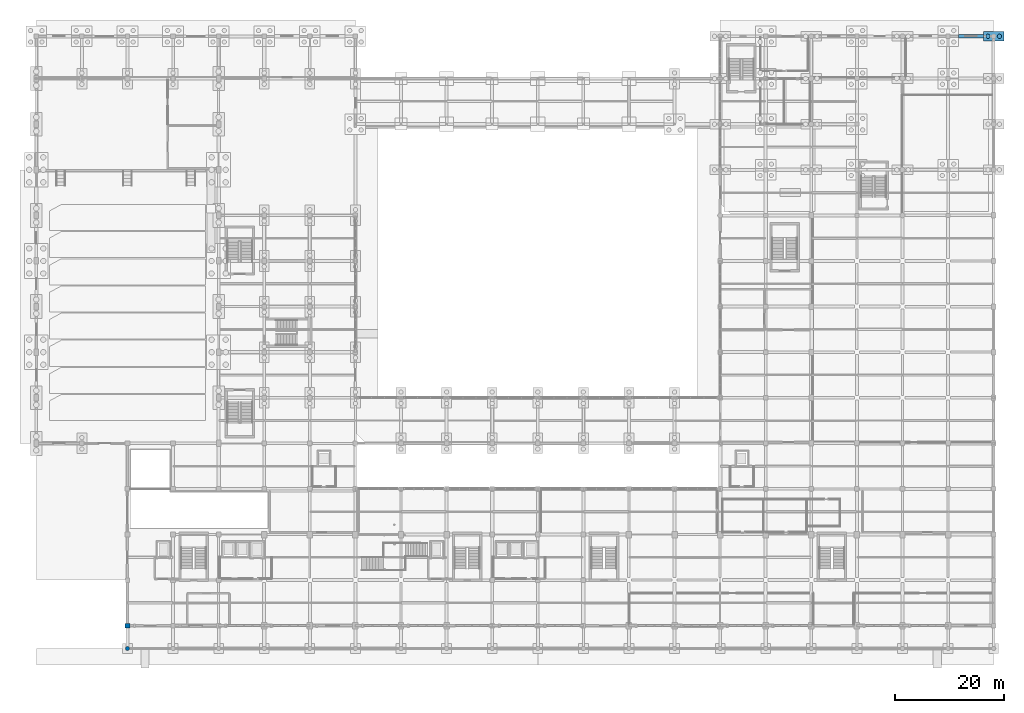
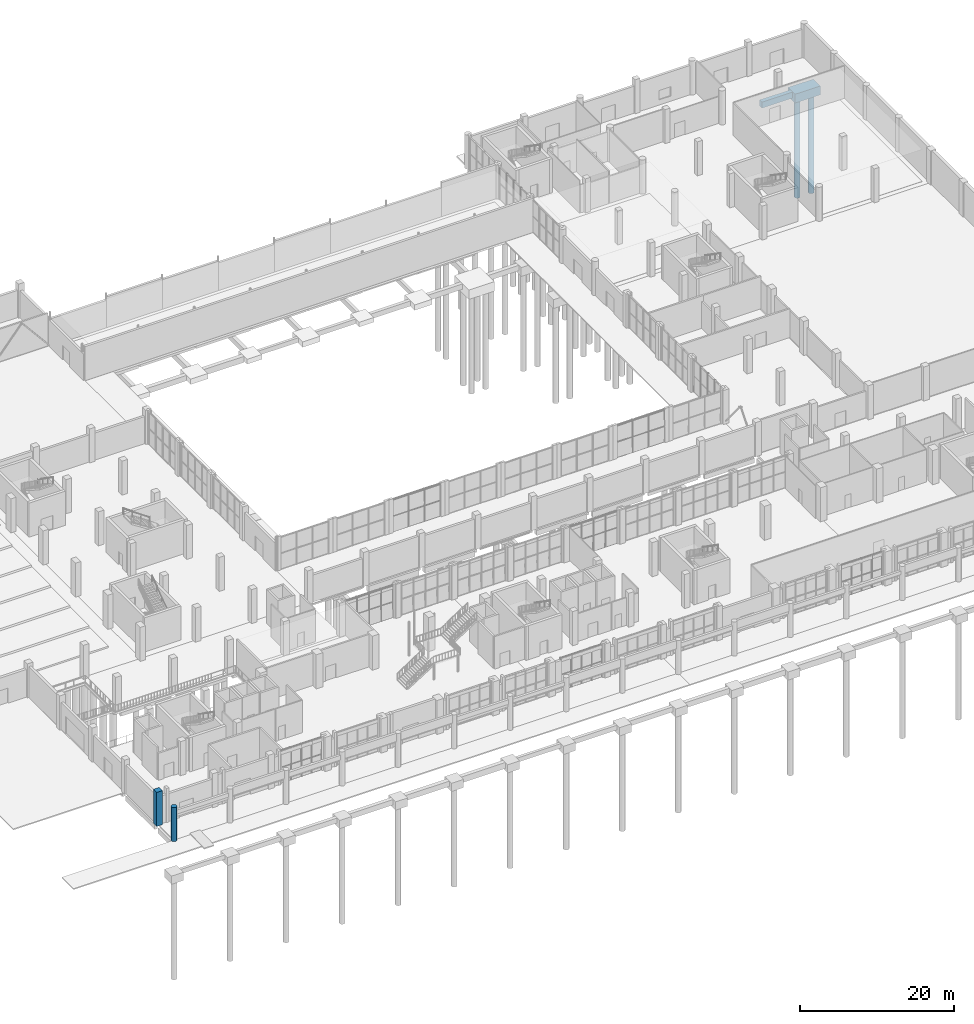
# One storey, part 6 of 82: 2 columns, 2 footings, 2 piles.
"""IFC4 building model written with IfcOpenShell, lengths in metres."""

from ifc_helpers import new_model, si_unit, derived_unit, direction, frame, origin, origin_2d, place, context, subcontext, project, spatial, polyline, rectangle, circle, outline, extrude, material, material_profile, profile_set, type_object, element, save


model = new_model("IFC4")

# Units and contexts
model_context = context("Model", 3, precision=1e-05, world=origin(), true_north=direction((0.0, 1.0)))
body_context = subcontext(model_context, "Body", "Model", "MODEL_VIEW")
ifc_project = project(units=[si_unit("LENGTHUNIT", "METRE"), si_unit("AREAUNIT", "SQUARE_METRE"), si_unit("VOLUMEUNIT", "CUBIC_METRE"), si_unit("PLANEANGLEUNIT", "RADIAN"), si_unit("MASSUNIT", "GRAM", prefix="KILO"), derived_unit("THERMALTRANSMITTANCEUNIT", [(si_unit("POWERUNIT", "WATT"), 1), (si_unit("LENGTHUNIT", "METRE"), -2), (si_unit("THERMODYNAMICTEMPERATUREUNIT", "KELVIN"), -1)])], contexts=[model_context])

# Site, building, storey
site_placement = place(None, origin())
site = spatial("IfcSite", under=ifc_project, at=site_placement, CompositionType="ELEMENT")
building_placement = place(site_placement, origin())
building = spatial("IfcBuilding", under=site, at=building_placement, Name="Barrovel Congress Hotel", CompositionType="ELEMENT")
storey_placement = place(building_placement, origin())
storey = spatial("IfcBuildingStorey", under=building, at=storey_placement, Name="L00", CompositionType="ELEMENT", Elevation=0.0)

# Footings
ifc_material_1 = material(Name="Concrete C40", Category="concrete")
footing_type_1 = type_object("IfcFootingType", Name="CAP-PC-03", PredefinedType="PILE_CAP", material=ifc_material_1)
footing_1_placement = place(storey_placement, frame((176.39990234375, 112.800048828125, -6.260009765625), z_axis=(0.0, 0.0, 1.0), x_axis=(1.0, 0.0, 0.0)))
element("IfcFooting", 1, at=footing_1_placement, inside=storey, type_object=footing_type_1, Name="CAP:L00:176.4:112.8", PredefinedType="PILE_CAP", context=body_context, shape_type="SweptSolid", body=[
    extrude(rectangle(XDim=3.800048828125, YDim=1.800048828125, at=origin_2d()), origin(), (0.0, 0.0, 1.0), 1.39990234375),
])
footing_type_2 = type_object("IfcFootingType", Name="FB-600x950", PredefinedType="FOOTING_BEAM", material=ifc_material_1)
footing_2_placement = place(storey_placement, frame((0.0, 0.0, -5.81005859375)))
element("IfcFooting", 2, at=footing_2_placement, inside=storey, type_object=footing_type_2, Name="FBX:L00:112.8:168.0-176.4", PredefinedType="FOOTING_BEAM", context=body_context, shape_type="SweptSolid", body=[
    extrude(outline(polyline([(169.89990234375, 112.5), (174.5, 112.5), (174.5, 113.10009765625), (169.89990234375, 113.10009765625), (169.89990234375, 112.5)])), origin(), (0.0, 0.0, 1.0), 0.949951171875),
])

# Piles
ifc_material_2 = material(Name="Concrete C35", Category="concrete")
ifc_material_profile_1 = material_profile(ifc_material_2, circle(Radius=0.39990234375, at=origin_2d()), Name="BP-D800")
ifc_profile_set_1 = profile_set([ifc_material_profile_1], Name="Concrete C35")
pile_type = type_object("IfcPileType", Name="PILE-BP-D800", PredefinedType="BORED", material=ifc_profile_set_1)
for number, where, z_axis, x_axis, name in (
    (3, (175.35009765625, 112.800048828125, -6.260009765625), (0.0, 0.0, -1.0), (1.0, 0.0, 0.0), "PILE:L00:176.4:112.8:1"),
    (4, (177.449951171875, 112.800048828125, -6.260009765625), (0.0, 0.0, -1.0), (1.0, 0.0, 0.0), "PILE:L00:176.4:112.8:2"),
):
    element("IfcPile", number, at=place(storey_placement, frame(where, z_axis=z_axis, x_axis=x_axis)), inside=storey, type_object=pile_type, Name=name, PredefinedType="BORED", context=body_context, shape_type="SweptSolid", body=[
        extrude(circle(Radius=0.39990234375, at=origin_2d()), origin(), (0.0, 0.0, 1.0), 15.639892578125),
    ])

# Columns
ifc_material_profile_2 = material_profile(ifc_material_1, circle(Radius=0.375, at=origin_2d()), Name="RC-D750")
ifc_profile_set_2 = profile_set([ifc_material_profile_2], Name="Concrete C40")
column_type_1 = type_object("IfcColumnType", Name="COL-RC-D750", PredefinedType="COLUMN", material=ifc_profile_set_2)
column_1_placement = place(storey_placement, frame((16.800048828125, 0.0, 0.0), z_axis=(0.0, 0.0, 1.0), x_axis=(1.0, 0.0, 0.0)))
element("IfcColumn", 5, at=column_1_placement, inside=storey, type_object=column_type_1, Name="COL:L00:16.8:0.0", PredefinedType="COLUMN", context=body_context, shape_type="SweptSolid", body=[
    extrude(circle(Radius=0.375, at=origin_2d()), origin(), (0.0, 0.0, 1.0), 5.39990234375),
])
ifc_material_profile_3 = material_profile(ifc_material_1, rectangle(XDim=0.85009765625, YDim=0.85009765625, at=origin_2d()), Name="RC850x850")
ifc_profile_set_3 = profile_set([ifc_material_profile_3], Name="Concrete C40")
column_type_2 = type_object("IfcColumnType", Name="COL-RC850x850", PredefinedType="COLUMN", material=ifc_profile_set_3)
column_2_placement = place(storey_placement, frame((16.800048828125, 4.199951171875, 0.0), z_axis=(0.0, 0.0, 1.0), x_axis=(1.0, 0.0, 0.0)))
element("IfcColumn", 6, at=column_2_placement, inside=storey, type_object=column_type_2, Name="COL:L00:16.8:4.2", PredefinedType="COLUMN", context=body_context, shape_type="SweptSolid", body=[
    extrude(rectangle(XDim=0.85009765625, YDim=0.85009765625, at=origin_2d()), origin(), (0.0, 0.0, 1.0), 5.39990234375),
])

save(model, "model.ifc")
